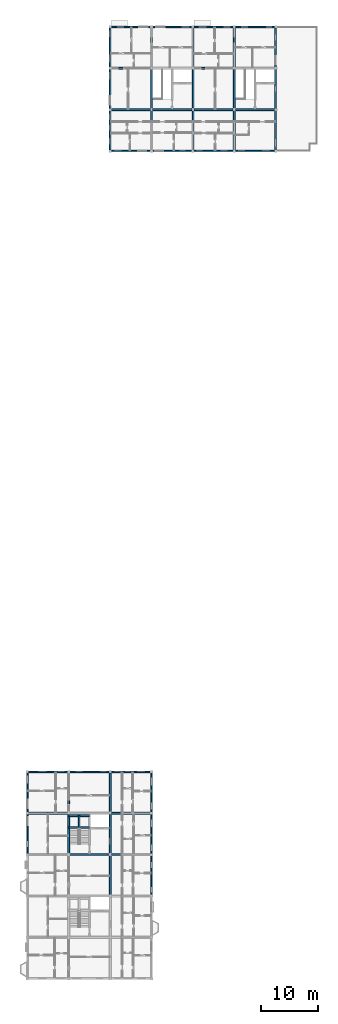
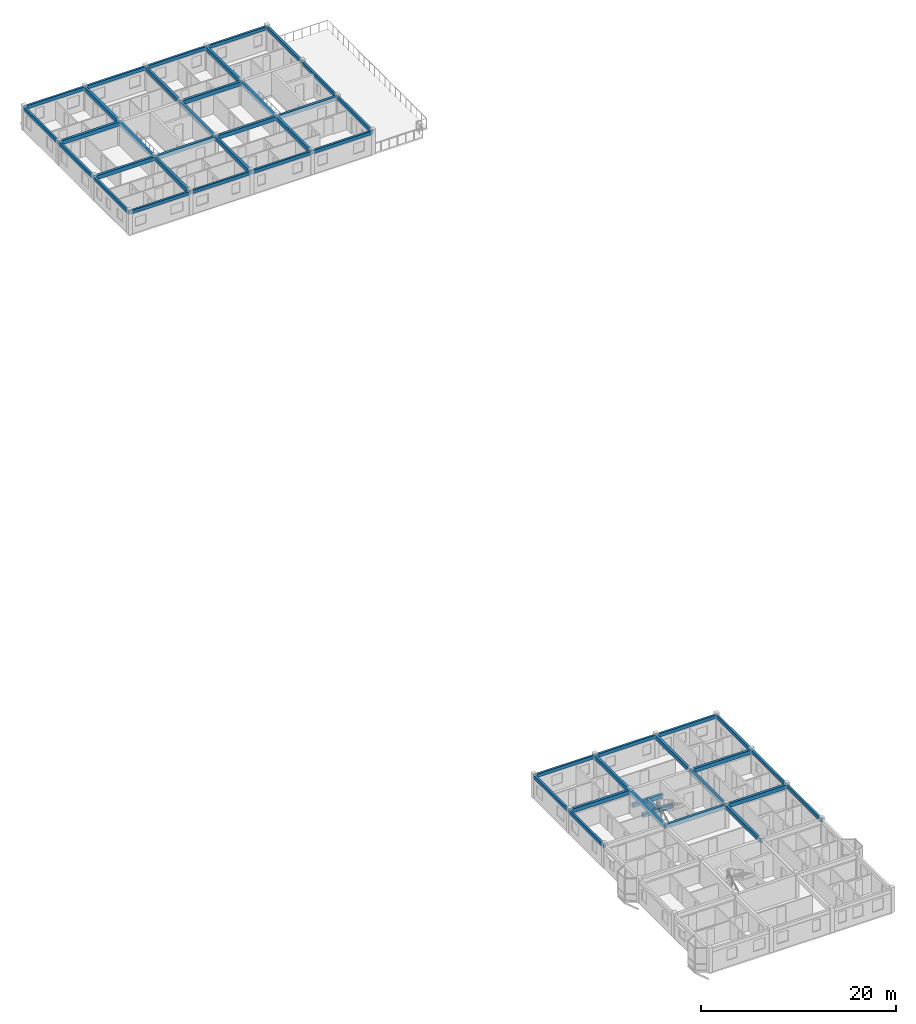
# One storey, part 9 of 23: 49 beams.
"""IFC4 building model written with IfcOpenShell, lengths in metres."""

from ifc_helpers import new_model, si_unit, direction, frame, origin, origin_2d, place, context, subcontext, project, spatial, rectangle, extrude, material, material_profile, profile_set, type_object, element, save


model = new_model("IFC4")

# Units and contexts
model_context = context("Model", 3, precision=1e-05, world=origin(), true_north=direction((0.0, 1.0)))
body_context = subcontext(model_context, "Body", "Model", "MODEL_VIEW")
ifc_project = project(units=[si_unit("LENGTHUNIT", "METRE"), si_unit("AREAUNIT", "SQUARE_METRE"), si_unit("VOLUMEUNIT", "CUBIC_METRE"), si_unit("PLANEANGLEUNIT", "RADIAN"), si_unit("MASSUNIT", "GRAM", prefix="KILO"), si_unit("THERMODYNAMICTEMPERATUREUNIT", "KELVIN"), si_unit("POWERUNIT", "WATT")], contexts=[model_context])

# Site, building, storey
site_placement = place(None, origin())
site = spatial("IfcSite", under=ifc_project, at=site_placement, CompositionType="ELEMENT")
building_placement = place(site_placement, origin())
building = spatial("IfcBuilding", under=site, at=building_placement, Name="Tavuni Mirador Residences", CompositionType="ELEMENT")
storey_placement = place(building_placement, frame((0.0, 0.0, 42.300048828125)))
storey = spatial("IfcBuildingStorey", under=building, at=storey_placement, Name="L13", CompositionType="ELEMENT", Elevation=42.300048828125)

# Beams
ifc_material = material(Name="Precast concrete C40/50", Category="concrete")
ifc_material_profile_1 = material_profile(ifc_material, rectangle(XDim=0.300048828125, YDim=0.5, at=origin_2d()), Name="PC 300x500", Category="concrete")
ifc_profile_set_1 = profile_set([ifc_material_profile_1], Name="Precast concrete C40/50")
beam_type_1 = type_object("IfcBeamType", Name="BT-B500", PredefinedType="BEAM", material=ifc_profile_set_1)
for number, where, z_axis, x_axis, name in (
    (1, (10.800048828125, 28.800048828125, 2.619873046875), (1.0, 0.0, 0.0), (0.0, 1.0, 0.0), "BMX-BLK-A-L13-01-03"),
    (2, (18.0, 28.800048828125, 2.619873046875), (1.0, 0.0, 0.0), (0.0, 1.0, 0.0), "BMX-BLK-A-L13-02-03"),
    (3, (3.60009765625, 36.0, 2.619873046875), (1.0, 0.0, 0.0), (0.0, 1.0, 0.0), "BMX-BLK-A-L13-00-04"),
    (4, (18.0, 36.0, 2.619873046875), (1.0, 0.0, 0.0), (0.0, 1.0, 0.0), "BMX-BLK-A-L13-02-04"),
    (5, (10.800048828125, 28.800048828125, 2.619873046875), (0.0, 1.0, 0.0), (-1.0, 0.0, 0.0), "BMY-BLK-A-L13-01-03"),
    (6, (10.800048828125, 36.0, 2.619873046875), (0.0, 1.0, 0.0), (-1.0, 0.0, 0.0), "BMY-BLK-A-L13-01-04"),
    (7, (18.0, 21.60009765625, 2.619873046875), (0.0, 1.0, 0.0), (-1.0, 0.0, 0.0), "BMY-BLK-A-L13-02-02"),
    (8, (18.0, 28.800048828125, 2.619873046875), (0.0, 1.0, 0.0), (-1.0, 0.0, 0.0), "BMY-BLK-A-L13-02-03"),
    (9, (18.0, 36.0, 2.619873046875), (0.0, 1.0, 0.0), (-1.0, 0.0, 0.0), "BMY-BLK-A-L13-02-04"),
    (10, (18.0, 158.39990234375, 2.669921875), (1.0, 0.0, 0.0), (0.0, 1.0, 0.0), "BMX-BLK-C-L13-00-01"),
    (11, (25.199951171875, 158.39990234375, 2.669921875), (1.0, 0.0, 0.0), (0.0, 1.0, 0.0), "BMX-BLK-C-L13-01-01"),
):
    element("IfcBeam", number, at=place(storey_placement, frame(where, z_axis=z_axis, x_axis=x_axis)), inside=storey, type_object=beam_type_1, Name=name, PredefinedType="BEAM", context=body_context, shape_type="SweptSolid", body=[
        extrude(rectangle(XDim=0.300048828125, YDim=0.5, at=origin_2d()), origin(), (0.0, 0.0, 1.0), 7.199951171875),
    ])
beam_1_placement = place(storey_placement, frame((32.39990234375, 158.39990234375, 2.669921875), z_axis=(1.0, 0.0, 0.0), x_axis=(0.0, 1.0, 0.0)))
element("IfcBeam", 12, at=beam_1_placement, inside=storey, type_object=beam_type_1, Name="BMX-BLK-C-L13-02-01", PredefinedType="BEAM", context=body_context, shape_type="SweptSolid", body=[
    extrude(rectangle(XDim=0.300048828125, YDim=0.5, at=origin_2d()), origin(), (0.0, 0.0, 1.0), 7.2001953125),
])
for number, where, z_axis, x_axis, name in (
    (13, (39.60009765625, 158.39990234375, 2.669921875), (1.0, 0.0, 0.0), (0.0, 1.0, 0.0), "BMX-BLK-C-L13-03-01"),
    (14, (18.0, 165.60009765625, 2.669921875), (1.0, 0.0, 0.0), (0.0, 1.0, 0.0), "BMX-BLK-C-L13-00-02"),
):
    element("IfcBeam", number, at=place(storey_placement, frame(where, z_axis=z_axis, x_axis=x_axis)), inside=storey, type_object=beam_type_1, Name=name, PredefinedType="BEAM", context=body_context, shape_type="SweptSolid", body=[
        extrude(rectangle(XDim=0.300048828125, YDim=0.5, at=origin_2d()), origin(), (0.0, 0.0, 1.0), 7.199951171875),
    ])
beam_2_placement = place(storey_placement, frame((32.39990234375, 165.60009765625, 2.669921875), z_axis=(1.0, 0.0, 0.0), x_axis=(0.0, 1.0, 0.0)))
element("IfcBeam", 15, at=beam_2_placement, inside=storey, type_object=beam_type_1, Name="BMX-BLK-C-L13-02-02", PredefinedType="BEAM", context=body_context, shape_type="SweptSolid", body=[
    extrude(rectangle(XDim=0.300048828125, YDim=0.5, at=origin_2d()), origin(), (0.0, 0.0, 1.0), 7.2001953125),
])
beam_3_placement = place(storey_placement, frame((25.199951171875, 151.199951171875, 2.669921875), z_axis=(0.0, 1.0, 0.0), x_axis=(-1.0, 0.0, 0.0)))
element("IfcBeam", 16, at=beam_3_placement, inside=storey, type_object=beam_type_1, Name="BMY-BLK-C-L13-01-00", PredefinedType="BEAM", context=body_context, shape_type="SweptSolid", body=[
    extrude(rectangle(XDim=0.300048828125, YDim=0.5, at=origin_2d()), origin(), (0.0, 0.0, 1.0), 7.199951171875),
])
beam_4_placement = place(storey_placement, frame((25.199951171875, 158.39990234375, 2.669921875), z_axis=(0.0, 1.0, 0.0), x_axis=(-1.0, 0.0, 0.0)))
element("IfcBeam", 17, at=beam_4_placement, inside=storey, type_object=beam_type_1, Name="BMY-BLK-C-L13-01-01", PredefinedType="BEAM", context=body_context, shape_type="SweptSolid", body=[
    extrude(rectangle(XDim=0.300048828125, YDim=0.5, at=origin_2d()), origin(), (0.0, 0.0, 1.0), 7.2001953125),
])
for number, where, z_axis, x_axis, name in (
    (18, (25.199951171875, 165.60009765625, 2.669921875), (0.0, 1.0, 0.0), (-1.0, 0.0, 0.0), "BMY-BLK-C-L13-01-02"),
    (19, (32.39990234375, 151.199951171875, 2.669921875), (0.0, 1.0, 0.0), (-1.0, 0.0, 0.0), "BMY-BLK-C-L13-02-00"),
):
    element("IfcBeam", number, at=place(storey_placement, frame(where, z_axis=z_axis, x_axis=x_axis)), inside=storey, type_object=beam_type_1, Name=name, PredefinedType="BEAM", context=body_context, shape_type="SweptSolid", body=[
        extrude(rectangle(XDim=0.300048828125, YDim=0.5, at=origin_2d()), origin(), (0.0, 0.0, 1.0), 7.199951171875),
    ])
beam_5_placement = place(storey_placement, frame((32.39990234375, 158.39990234375, 2.669921875), z_axis=(0.0, 1.0, 0.0), x_axis=(-1.0, 0.0, 0.0)))
element("IfcBeam", 20, at=beam_5_placement, inside=storey, type_object=beam_type_1, Name="BMY-BLK-C-L13-02-01", PredefinedType="BEAM", context=body_context, shape_type="SweptSolid", body=[
    extrude(rectangle(XDim=0.300048828125, YDim=0.5, at=origin_2d()), origin(), (0.0, 0.0, 1.0), 7.2001953125),
])
for number, where, z_axis, x_axis, name in (
    (21, (32.39990234375, 165.60009765625, 2.669921875), (0.0, 1.0, 0.0), (-1.0, 0.0, 0.0), "BMY-BLK-C-L13-02-02"),
    (22, (39.60009765625, 151.199951171875, 2.669921875), (0.0, 1.0, 0.0), (-1.0, 0.0, 0.0), "BMY-BLK-C-L13-03-00"),
):
    element("IfcBeam", number, at=place(storey_placement, frame(where, z_axis=z_axis, x_axis=x_axis)), inside=storey, type_object=beam_type_1, Name=name, PredefinedType="BEAM", context=body_context, shape_type="SweptSolid", body=[
        extrude(rectangle(XDim=0.300048828125, YDim=0.5, at=origin_2d()), origin(), (0.0, 0.0, 1.0), 7.199951171875),
    ])
beam_6_placement = place(storey_placement, frame((39.60009765625, 158.39990234375, 2.669921875), z_axis=(0.0, 1.0, 0.0), x_axis=(-1.0, 0.0, 0.0)))
element("IfcBeam", 23, at=beam_6_placement, inside=storey, type_object=beam_type_1, Name="BMY-BLK-C-L13-03-01", PredefinedType="BEAM", context=body_context, shape_type="SweptSolid", body=[
    extrude(rectangle(XDim=0.300048828125, YDim=0.5, at=origin_2d()), origin(), (0.0, 0.0, 1.0), 7.2001953125),
])
beam_7_placement = place(storey_placement, frame((39.60009765625, 165.60009765625, 2.669921875), z_axis=(0.0, 1.0, 0.0), x_axis=(-1.0, 0.0, 0.0)))
element("IfcBeam", 24, at=beam_7_placement, inside=storey, type_object=beam_type_1, Name="BMY-BLK-C-L13-03-02", PredefinedType="BEAM", context=body_context, shape_type="SweptSolid", body=[
    extrude(rectangle(XDim=0.300048828125, YDim=0.5, at=origin_2d()), origin(), (0.0, 0.0, 1.0), 7.199951171875),
])
for number, where, z_axis, x_axis, name in (
    (25, (10.800048828125, 33.5, 1.14501953125), (1.0, 0.0, 0.0), (0.0, 1.0, 0.0), "HLB1-C2-L13"),
    (26, (10.800048828125, 35.550048828125, 1.14501953125), (1.0, 0.0, 0.0), (0.0, 1.0, 0.0), "HLB2-C2-L13"),
):
    element("IfcBeam", number, at=place(storey_placement, frame(where, z_axis=z_axis, x_axis=x_axis)), inside=storey, type_object=beam_type_1, Name=name, PredefinedType="BEAM", context=body_context, shape_type="SweptSolid", body=[
        extrude(rectangle(XDim=0.300048828125, YDim=0.5, at=origin_2d()), origin(), (0.0, 0.0, 1.0), 3.599853515625),
    ])
beam_8_placement = place(storey_placement, frame((12.60009765625, 33.5, 1.14501953125), z_axis=(0.0, 1.0, 0.0), x_axis=(-1.0, 0.0, 0.0)))
element("IfcBeam", 27, at=beam_8_placement, inside=storey, type_object=beam_type_1, Name="HLB3-C2-L13", PredefinedType="BEAM", context=body_context, shape_type="SweptSolid", body=[
    extrude(rectangle(XDim=0.300048828125, YDim=0.5, at=origin_2d()), origin(), (0.0, 0.0, 1.0), 2.050048828125),
])
ifc_material_profile_2 = material_profile(ifc_material, rectangle(XDim=0.25, YDim=0.419921875, at=origin_2d()), Name="PC 250x420", Category="concrete")
ifc_profile_set_2 = profile_set([ifc_material_profile_2], Name="Precast concrete C40/50")
beam_type_2 = type_object("IfcBeamType", Name="BT-SP420", PredefinedType="SPANDREL", material=ifc_profile_set_2)
for number, where, z_axis, x_axis, name in (
    (28, (3.60009765625, 43.199951171875, 2.659912109375), (1.0, 0.0, 0.0), (0.0, 1.0, 0.0), "BMX-BLK-A-L13-00-05"),
    (29, (10.800048828125, 43.199951171875, 2.659912109375), (1.0, 0.0, 0.0), (0.0, 1.0, 0.0), "BMX-BLK-A-L13-01-05"),
    (30, (18.0, 43.199951171875, 2.659912109375), (1.0, 0.0, 0.0), (0.0, 1.0, 0.0), "BMX-BLK-A-L13-02-05"),
    (31, (3.60009765625, 28.800048828125, 2.659912109375), (0.0, 1.0, 0.0), (-1.0, 0.0, 0.0), "BMY-BLK-A-L13-00-03"),
    (32, (3.60009765625, 36.0, 2.659912109375), (0.0, 1.0, 0.0), (-1.0, 0.0, 0.0), "BMY-BLK-A-L13-00-04"),
    (33, (25.199951171875, 21.60009765625, 2.659912109375), (0.0, 1.0, 0.0), (-1.0, 0.0, 0.0), "BMY-BLK-A-L13-03-02"),
    (34, (25.199951171875, 28.800048828125, 2.659912109375), (0.0, 1.0, 0.0), (-1.0, 0.0, 0.0), "BMY-BLK-A-L13-03-03"),
    (35, (25.199951171875, 36.0, 2.659912109375), (0.0, 1.0, 0.0), (-1.0, 0.0, 0.0), "BMY-BLK-A-L13-03-04"),
    (36, (18.0, 151.199951171875, 2.7099609375), (1.0, 0.0, 0.0), (0.0, 1.0, 0.0), "BMX-BLK-C-L13-00-00"),
    (37, (25.199951171875, 151.199951171875, 2.7099609375), (1.0, 0.0, 0.0), (0.0, 1.0, 0.0), "BMX-BLK-C-L13-01-00"),
):
    element("IfcBeam", number, at=place(storey_placement, frame(where, z_axis=z_axis, x_axis=x_axis)), inside=storey, type_object=beam_type_2, Name=name, PredefinedType="SPANDREL", context=body_context, shape_type="SweptSolid", body=[
        extrude(rectangle(XDim=0.25, YDim=0.419921875, at=origin_2d()), origin(), (0.0, 0.0, 1.0), 7.199951171875),
    ])
beam_9_placement = place(storey_placement, frame((32.39990234375, 151.199951171875, 2.7099609375), z_axis=(1.0, 0.0, 0.0), x_axis=(0.0, 1.0, 0.0)))
element("IfcBeam", 38, at=beam_9_placement, inside=storey, type_object=beam_type_2, Name="BMX-BLK-C-L13-02-00", PredefinedType="SPANDREL", context=body_context, shape_type="SweptSolid", body=[
    extrude(rectangle(XDim=0.25, YDim=0.419921875, at=origin_2d()), origin(), (0.0, 0.0, 1.0), 7.2001953125),
])
for number, where, z_axis, x_axis, name in (
    (39, (39.60009765625, 151.199951171875, 2.7099609375), (1.0, 0.0, 0.0), (0.0, 1.0, 0.0), "BMX-BLK-C-L13-03-00"),
    (40, (18.0, 172.800048828125, 2.7099609375), (1.0, 0.0, 0.0), (0.0, 1.0, 0.0), "BMX-BLK-C-L13-00-03"),
    (41, (25.199951171875, 172.800048828125, 2.7099609375), (1.0, 0.0, 0.0), (0.0, 1.0, 0.0), "BMX-BLK-C-L13-01-03"),
):
    element("IfcBeam", number, at=place(storey_placement, frame(where, z_axis=z_axis, x_axis=x_axis)), inside=storey, type_object=beam_type_2, Name=name, PredefinedType="SPANDREL", context=body_context, shape_type="SweptSolid", body=[
        extrude(rectangle(XDim=0.25, YDim=0.419921875, at=origin_2d()), origin(), (0.0, 0.0, 1.0), 7.199951171875),
    ])
beam_10_placement = place(storey_placement, frame((32.39990234375, 172.800048828125, 2.7099609375), z_axis=(1.0, 0.0, 0.0), x_axis=(0.0, 1.0, 0.0)))
element("IfcBeam", 42, at=beam_10_placement, inside=storey, type_object=beam_type_2, Name="BMX-BLK-C-L13-02-03", PredefinedType="SPANDREL", context=body_context, shape_type="SweptSolid", body=[
    extrude(rectangle(XDim=0.25, YDim=0.419921875, at=origin_2d()), origin(), (0.0, 0.0, 1.0), 7.2001953125),
])
for number, where, z_axis, x_axis, name in (
    (43, (39.60009765625, 172.800048828125, 2.7099609375), (1.0, 0.0, 0.0), (0.0, 1.0, 0.0), "BMX-BLK-C-L13-03-03"),
    (44, (18.0, 151.199951171875, 2.7099609375), (0.0, 1.0, 0.0), (-1.0, 0.0, 0.0), "BMY-BLK-C-L13-00-00"),
):
    element("IfcBeam", number, at=place(storey_placement, frame(where, z_axis=z_axis, x_axis=x_axis)), inside=storey, type_object=beam_type_2, Name=name, PredefinedType="SPANDREL", context=body_context, shape_type="SweptSolid", body=[
        extrude(rectangle(XDim=0.25, YDim=0.419921875, at=origin_2d()), origin(), (0.0, 0.0, 1.0), 7.199951171875),
    ])
beam_11_placement = place(storey_placement, frame((18.0, 158.39990234375, 2.7099609375), z_axis=(0.0, 1.0, 0.0), x_axis=(-1.0, 0.0, 0.0)))
element("IfcBeam", 45, at=beam_11_placement, inside=storey, type_object=beam_type_2, Name="BMY-BLK-C-L13-00-01", PredefinedType="SPANDREL", context=body_context, shape_type="SweptSolid", body=[
    extrude(rectangle(XDim=0.25, YDim=0.419921875, at=origin_2d()), origin(), (0.0, 0.0, 1.0), 7.2001953125),
])
for number, where, z_axis, x_axis, name in (
    (46, (18.0, 165.60009765625, 2.7099609375), (0.0, 1.0, 0.0), (-1.0, 0.0, 0.0), "BMY-BLK-C-L13-00-02"),
    (47, (46.800048828125, 151.199951171875, 2.7099609375), (0.0, 1.0, 0.0), (-1.0, 0.0, 0.0), "BMY-BLK-C-L13-04-00"),
):
    element("IfcBeam", number, at=place(storey_placement, frame(where, z_axis=z_axis, x_axis=x_axis)), inside=storey, type_object=beam_type_2, Name=name, PredefinedType="SPANDREL", context=body_context, shape_type="SweptSolid", body=[
        extrude(rectangle(XDim=0.25, YDim=0.419921875, at=origin_2d()), origin(), (0.0, 0.0, 1.0), 7.199951171875),
    ])
beam_12_placement = place(storey_placement, frame((46.800048828125, 158.39990234375, 2.7099609375), z_axis=(0.0, 1.0, 0.0), x_axis=(-1.0, 0.0, 0.0)))
element("IfcBeam", 48, at=beam_12_placement, inside=storey, type_object=beam_type_2, Name="BMY-BLK-C-L13-04-01", PredefinedType="SPANDREL", context=body_context, shape_type="SweptSolid", body=[
    extrude(rectangle(XDim=0.25, YDim=0.419921875, at=origin_2d()), origin(), (0.0, 0.0, 1.0), 7.2001953125),
])
beam_13_placement = place(storey_placement, frame((46.800048828125, 165.60009765625, 2.7099609375), z_axis=(0.0, 1.0, 0.0), x_axis=(-1.0, 0.0, 0.0)))
element("IfcBeam", 49, at=beam_13_placement, inside=storey, type_object=beam_type_2, Name="BMY-BLK-C-L13-04-02", PredefinedType="SPANDREL", context=body_context, shape_type="SweptSolid", body=[
    extrude(rectangle(XDim=0.25, YDim=0.419921875, at=origin_2d()), origin(), (0.0, 0.0, 1.0), 7.199951171875),
])

save(model, "model.ifc")
